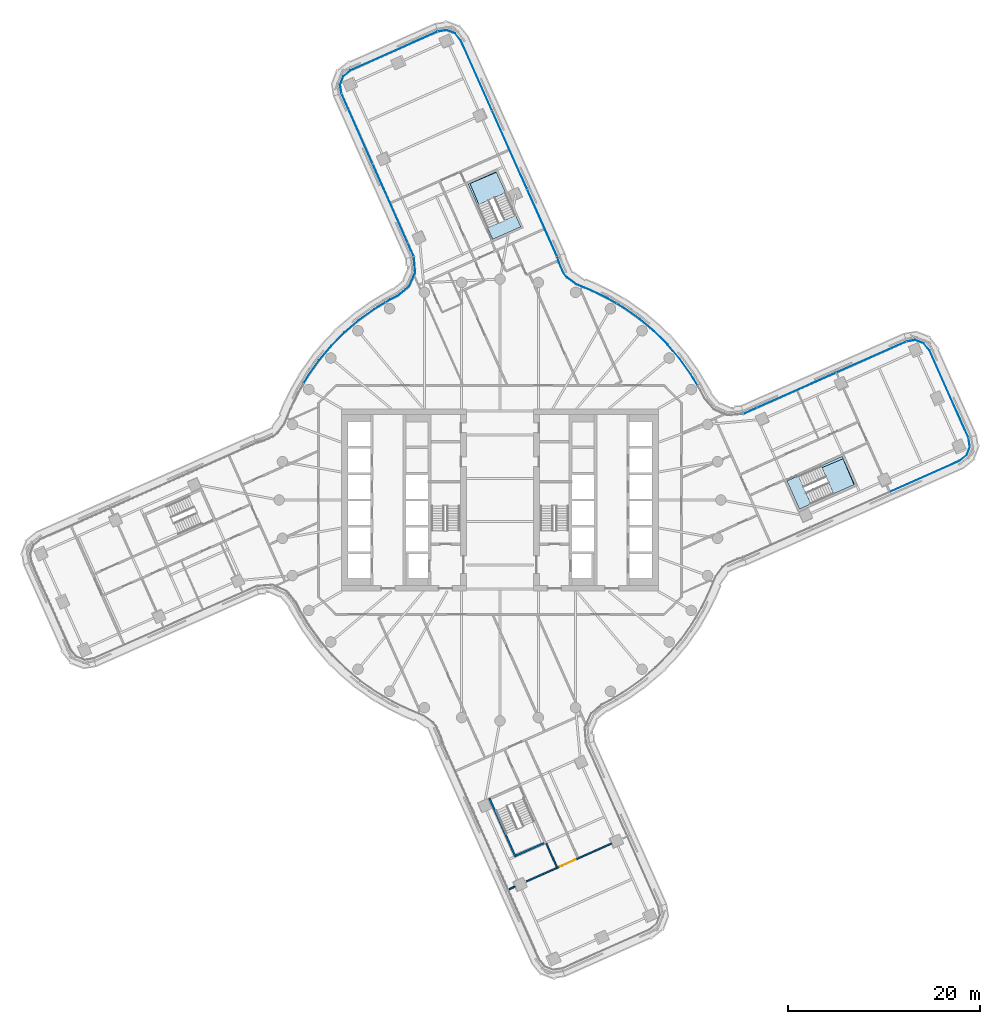
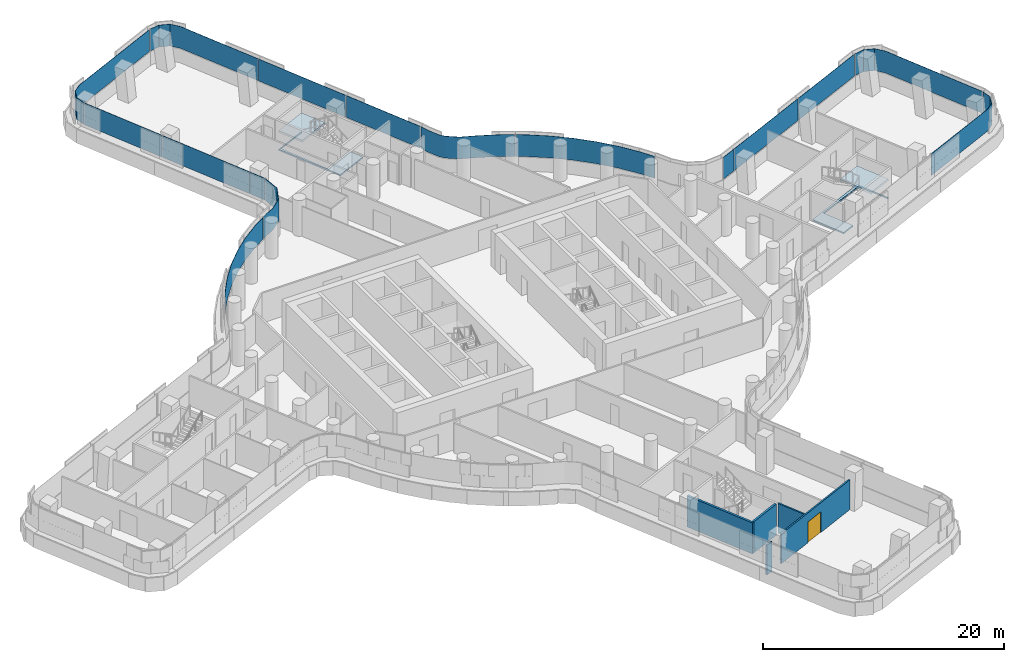
# One storey, part 20 of 35: 16 plates, 5 walls, 4 slabs, 1 door, 1 opening, 10 elements without a shape of their own.
"""IFC4 building model written with IfcOpenShell, lengths in metres."""

from ifc_helpers import new_model, si_unit, direction, frame, frame_2d, origin, place, context, subcontext, project, spatial, polyline, rectangle, outline, extrude, material, layer, layer_set, type_object, element, fill, aggregate, save


model = new_model("IFC4")

# Units and contexts
model_context = context("Model", 3, precision=1e-05, world=origin(), true_north=direction((0.0, 1.0)))
body_context = subcontext(model_context, "Body", "Model", "MODEL_VIEW")
ifc_project = project(units=[si_unit("LENGTHUNIT", "METRE"), si_unit("AREAUNIT", "SQUARE_METRE"), si_unit("VOLUMEUNIT", "CUBIC_METRE"), si_unit("PLANEANGLEUNIT", "RADIAN"), si_unit("MASSUNIT", "GRAM", prefix="KILO")], contexts=[model_context])

# Site, building, storey
site_placement = place(None, origin())
site = spatial("IfcSite", under=ifc_project, at=site_placement, CompositionType="ELEMENT")
building_placement = place(site_placement, origin())
building = spatial("IfcBuilding", under=site, at=building_placement, Name="Tamarind Cross Interchange Tower", CompositionType="ELEMENT")
storey_placement = place(building_placement, frame((0.0, 0.0, 121.0)))
storey = spatial("IfcBuildingStorey", under=building, at=storey_placement, Name="L29", CompositionType="ELEMENT", Elevation=121.0)

# Slabs
ifc_material_1 = material(Name="Concrete C35", Category="concrete")
ifc_layer_1 = layer(ifc_material_1, 0.139892578125)
ifc_layer_set_1 = layer_set([ifc_layer_1], Name="Concrete C35")
slab_type_1 = type_object("IfcSlabType", Name="Composite slab 140 Concrete C35", PredefinedType="FLOOR", material=ifc_layer_set_1)
slab_1_placement = place(storey_placement, frame((0.0, 0.0, -0.139892578125)))
element("IfcSlab", 1, at=slab_1_placement, inside=storey, type_object=slab_type_1, Name="Floor slab L29", PredefinedType="FLOOR", context=body_context, shape_type="SweptSolid", body=[
    extrude(outline(polyline([(-3.123779296875, 32.949462890625), (-0.366943359375, 34.118896484375), (-0.400390625, 34.19384765625), (-3.322998046875, 32.890625), (-0.75732421875, 27.13671875), (2.165283203125, 28.43994140625), (1.630859375, 29.63818359375), (-1.186279296875, 28.382080078125), (-3.123779296875, 32.949462890625)])), origin(), (0.0, 0.0, 1.0), 0.139892578125),
])
slab_2_placement = place(storey_placement, frame((0.0, 0.0, -0.139892578125)))
element("IfcSlab", 2, at=slab_2_placement, inside=storey, type_object=slab_type_1, Name="Floor slab L29", PredefinedType="FLOOR", context=body_context, shape_type="SweptSolid", body=[
    extrude(outline(polyline([(31.179931640625, -0.943603515625), (32.302978515625, -0.44287109375), (32.378173828125, -0.4091796875), (31.144287109375, 2.358154296875), (35.711181640625, 4.29541015625), (36.859375, 1.5888671875), (36.933837890625, 1.621826171875), (35.630615234375, 4.544677734375), (29.876708984375, 1.97900390625), (31.179931640625, -0.943603515625)])), origin(), (0.0, 0.0, 1.0), 0.139892578125),
])

# Stair, slab
ifc_material_2 = material(Name="Exit stair")
stair_type = type_object("IfcStairType", Name="Exit stair", PredefinedType="HALF_TURN_STAIR", material=ifc_material_2)
stair_1_placement = place(storey_placement, origin())
stair_1 = element("IfcStair", 3, at=stair_1_placement, inside=storey, type_object=stair_type, Name="L29 exit stair ST3", PredefinedType="HALF_TURN_STAIR")
ifc_material_3 = material(Name="Concrete C40", Category="concrete")
ifc_layer_2 = layer(ifc_material_3, 0.199951171875)
ifc_layer_set_2 = layer_set([ifc_layer_2], Name="Concrete C40")
slab_type_2 = type_object("IfcSlabType", Name="Stair landing", PredefinedType="LANDING", material=ifc_layer_set_2)
slab_3_placement = place(storey_placement, frame((0.0, 0.0, 1.675048828125)))
slab_3 = element("IfcSlab", 4, at=slab_3_placement, type_object=slab_type_2, Name="ST3 landing 1", PredefinedType="LANDING", context=body_context, shape_type="SweptSolid", body=[
    extrude(outline(polyline([(34.73095703125, 0.6396484375), (36.933837890625, 1.6220703125), (35.630615234375, 4.544677734375), (33.427734375, 3.5625), (34.73095703125, 0.6396484375)])), origin(), (0.0, 0.0, 1.0), 0.199951171875),
])
aggregate(stair_1, [slab_3])

stair_2_placement = place(storey_placement, origin())
stair_2 = element("IfcStair", 5, at=stair_2_placement, inside=storey, type_object=stair_type, Name="L29 exit stair ST4", PredefinedType="HALF_TURN_STAIR")
slab_4_placement = place(storey_placement, frame((0.0, 0.0, 1.675048828125)))
slab_4 = element("IfcSlab", 6, at=slab_4_placement, type_object=slab_type_2, Name="ST4 landing 1", PredefinedType="LANDING", context=body_context, shape_type="SweptSolid", body=[
    extrude(outline(polyline([(0.58203125, 31.990966796875), (-0.400390625, 34.19384765625), (-3.322998046875, 32.890625), (-2.3408203125, 30.687744140625), (0.58203125, 31.990966796875)])), origin(), (0.0, 0.0, 1.0), 0.199951171875),
])
aggregate(stair_2, [slab_4])

# Curtain wall, plate
ifc_material_4 = material(Name="Aluminium 6063-T6", Category="aluminium")
ifc_layer_3 = layer(ifc_material_4, 0.159912109375)
ifc_layer_set_3 = layer_set([ifc_layer_3], Name="Aluminium 6063-T6")
curtain_wall_type = type_object("IfcCurtainWallType", Name="Office curtain wall, 9.0 m bays", PredefinedType="NOTDEFINED", material=ifc_layer_set_3)
curtain_wall_1_placement = place(storey_placement, origin())
curtain_wall_1 = element("IfcCurtainWall", 7, at=curtain_wall_1_placement, inside=storey, type_object=curtain_wall_type, Name="CWS-L29-07", PredefinedType="NOTDEFINED")
ifc_material_5 = material(Name="Laminated low-e glass 8+1.52+8", Category="glass")
ifc_layer_4 = layer(ifc_material_5, 0.028076171875)
ifc_layer_set_4 = layer_set([ifc_layer_4], Name="Laminated low-e glass 8+1.52+8")
plate_type = type_object("IfcPlateType", Name="Vision panel CW1", PredefinedType="CURTAIN_PANEL", material=ifc_layer_set_4)
plate_1_placement = place(storey_placement, frame((0.0, 0.0, 1.39990234375)))
plate_1 = element("IfcPlate", 8, at=plate_1_placement, type_object=plate_type, Name="CWP-L29-07-02", PredefinedType="CURTAIN_PANEL", context=body_context, shape_type="SweptSolid", body=[
    extrude(outline(polyline([(40.57861328125, 0.853515625), (47.837158203125, 4.08984375), (48.574951171875, 4.68798828125), (48.904296875, 5.547607421875), (48.759765625, 6.457763671875), (48.787353515625, 6.462158203125), (48.93310546875, 5.544677734375), (48.598388671875, 4.6708984375), (47.851806640625, 4.06591796875), (40.590087890625, 0.828125), (40.57861328125, 0.853515625)])), origin(), (0.0, 0.0, 1.0), 2.210205078125),
])
aggregate(curtain_wall_1, [plate_1])

curtain_wall_2_placement = place(storey_placement, origin())
curtain_wall_2 = element("IfcCurtainWall", 9, at=curtain_wall_2_placement, inside=storey, type_object=curtain_wall_type, Name="CWS-L29-08", PredefinedType="NOTDEFINED")
plate_2_placement = place(storey_placement, frame((0.0, 0.0, 1.39990234375)))
plate_2 = element("IfcPlate", 10, at=plate_2_placement, type_object=plate_type, Name="CWP-L29-08-00", PredefinedType="CURTAIN_PANEL", context=body_context, shape_type="SweptSolid", body=[
    extrude(outline(polyline([(48.743896484375, 6.51123046875), (44.7060546875, 15.5673828125), (44.10791015625, 16.30517578125), (43.248291015625, 16.634765625), (42.337890625, 16.489990234375), (42.33349609375, 16.517578125), (43.251220703125, 16.66357421875), (44.125, 16.32861328125), (44.730224609375, 15.582275390625), (48.76953125, 6.522705078125), (48.743896484375, 6.51123046875)])), origin(), (0.0, 0.0, 1.0), 2.210205078125),
])
aggregate(curtain_wall_2, [plate_2])

# Curtain wall, plates
curtain_wall_3_placement = place(storey_placement, origin())
curtain_wall_3 = element("IfcCurtainWall", 11, at=curtain_wall_3_placement, inside=storey, type_object=curtain_wall_type, Name="CWS-L29-09", PredefinedType="NOTDEFINED")
plate_3_placement = place(storey_placement, frame((0.0, 0.0, 1.39990234375)))
plate_3 = element("IfcPlate", 12, at=plate_3_placement, type_object=plate_type, Name="CWP-L29-09-00", PredefinedType="CURTAIN_PANEL", context=body_context, shape_type="SweptSolid", body=[
    extrude(outline(polyline([(42.284423828125, 16.47412109375), (35.03173828125, 13.255615234375), (35.0205078125, 13.28125), (42.27294921875, 16.499755859375), (42.284423828125, 16.47412109375)])), origin(), (0.0, 0.0, 1.0), 2.210205078125),
])
plate_4_placement = place(storey_placement, frame((0.0, 0.0, 1.39990234375)))
plate_4 = element("IfcPlate", 13, at=plate_4_placement, type_object=plate_type, Name="CWP-L29-09-01", PredefinedType="CURTAIN_PANEL", context=body_context, shape_type="SweptSolid", body=[
    extrude(outline(polyline([(34.97705078125, 13.2314453125), (26.80224609375, 9.603515625), (26.790771484375, 9.629150390625), (34.965576171875, 13.2568359375), (34.97705078125, 13.2314453125)])), origin(), (0.0, 0.0, 1.0), 2.210205078125),
])
plate_5_placement = place(storey_placement, frame((0.0, 0.0, 1.39990234375)))
plate_5 = element("IfcPlate", 14, at=plate_5_placement, type_object=plate_type, Name="CWP-L29-09-02", PredefinedType="CURTAIN_PANEL", context=body_context, shape_type="SweptSolid", body=[
    extrude(outline(polyline([(26.747314453125, 9.579345703125), (25.3779296875, 8.971435546875), (25.366455078125, 8.9970703125), (26.736083984375, 9.60498046875), (26.747314453125, 9.579345703125)])), origin(), (0.0, 0.0, 1.0), 2.210205078125),
])
aggregate(curtain_wall_3, [plate_3, plate_4, plate_5])

curtain_wall_4_placement = place(storey_placement, origin())
curtain_wall_4 = element("IfcCurtainWall", 15, at=curtain_wall_4_placement, inside=storey, type_object=curtain_wall_type, Name="CWS-L29-10", PredefinedType="NOTDEFINED")
plate_6_placement = place(storey_placement, frame((0.0, 0.0, 1.39990234375)))
plate_6 = element("IfcPlate", 16, at=plate_6_placement, type_object=plate_type, Name="CWP-L29-10-01", PredefinedType="CURTAIN_PANEL", context=body_context, shape_type="SweptSolid", body=[
    extrude(outline(polyline([(20.54345703125, 11.94580078125), (19.85302734375, 13.093017578125), (18.7041015625, 14.687744140625), (17.42724609375, 16.18212890625), (16.031494140625, 17.56591796875), (14.526123046875, 18.829833984375), (12.921630859375, 19.965087890625), (12.135498046875, 20.428955078125), (12.14990234375, 20.453125), (12.936767578125, 19.988525390625), (14.543212890625, 18.85205078125), (16.05029296875, 17.586669921875), (17.44775390625, 16.201171875), (18.72607421875, 14.705078125), (19.87646484375, 13.1083984375), (20.5673828125, 11.960205078125), (20.54345703125, 11.94580078125)])), origin(), (0.0, 0.0, 1.0), 2.210205078125),
])
plate_7_placement = place(storey_placement, frame((0.0, 0.0, 1.39990234375)))
plate_7 = element("IfcPlate", 17, at=plate_7_placement, type_object=plate_type, Name="CWP-L29-10-02", PredefinedType="CURTAIN_PANEL", context=body_context, shape_type="SweptSolid", body=[
    extrude(outline(polyline([(12.083984375, 20.45947265625), (11.228759765625, 20.9638671875), (9.456787109375, 21.82080078125), (7.9462890625, 22.446533203125), (6.9736328125, 23.1591796875), (6.62109375, 23.596923828125), (6.136962890625, 24.68701171875), (5.93310546875, 25.3486328125), (5.9599609375, 25.356689453125), (6.163330078125, 24.69677734375), (6.645263671875, 23.611572265625), (6.9931640625, 23.1796875), (7.960205078125, 22.47119140625), (9.46826171875, 21.846435546875), (11.241943359375, 20.98876953125), (12.09814453125, 20.4833984375), (12.083984375, 20.45947265625)])), origin(), (0.0, 0.0, 1.0), 2.210205078125),
])
aggregate(curtain_wall_4, [plate_6, plate_7])

curtain_wall_5_placement = place(storey_placement, origin())
curtain_wall_5 = element("IfcCurtainWall", 18, at=curtain_wall_5_placement, inside=storey, type_object=curtain_wall_type, Name="CWS-L29-11", PredefinedType="NOTDEFINED")
plate_8_placement = place(storey_placement, frame((0.0, 0.0, 1.39990234375)))
plate_8 = element("IfcPlate", 19, at=plate_8_placement, type_object=plate_type, Name="CWP-L29-11-00", PredefinedType="CURTAIN_PANEL", context=body_context, shape_type="SweptSolid", body=[
    extrude(outline(polyline([(5.91259765625, 25.403076171875), (2.830078125, 32.316650390625), (2.855712890625, 32.328125), (5.938232421875, 25.414306640625), (5.91259765625, 25.403076171875)])), origin(), (0.0, 0.0, 1.0), 2.210205078125),
])
plate_9_placement = place(storey_placement, frame((0.0, 0.0, 1.39990234375)))
plate_9 = element("IfcPlate", 20, at=plate_9_placement, type_object=plate_type, Name="CWP-L29-11-01", PredefinedType="CURTAIN_PANEL", context=body_context, shape_type="SweptSolid", body=[
    extrude(outline(polyline([(2.8056640625, 32.37158203125), (-0.8291015625, 40.52392578125), (-0.8037109375, 40.535400390625), (2.831298828125, 32.383056640625), (2.8056640625, 32.37158203125)])), origin(), (0.0, 0.0, 1.0), 2.210205078125),
])
plate_10_placement = place(storey_placement, frame((0.0, 0.0, 1.39990234375)))
plate_10 = element("IfcPlate", 21, at=plate_10_placement, type_object=plate_type, Name="CWP-L29-11-02", PredefinedType="CURTAIN_PANEL", context=body_context, shape_type="SweptSolid", body=[
    extrude(outline(polyline([(-0.853515625, 40.57861328125), (-4.08984375, 47.837158203125), (-4.68798828125, 48.574951171875), (-5.547607421875, 48.904296875), (-6.457763671875, 48.759765625), (-6.462158203125, 48.787353515625), (-5.544677734375, 48.93310546875), (-4.6708984375, 48.598388671875), (-4.06591796875, 47.851806640625), (-0.828125, 40.590087890625), (-0.853515625, 40.57861328125)])), origin(), (0.0, 0.0, 1.0), 2.210205078125),
])
aggregate(curtain_wall_5, [plate_8, plate_9, plate_10])

# Curtain wall, plate
curtain_wall_6_placement = place(storey_placement, origin())
curtain_wall_6 = element("IfcCurtainWall", 22, at=curtain_wall_6_placement, inside=storey, type_object=curtain_wall_type, Name="CWS-L29-12", PredefinedType="NOTDEFINED")
plate_11_placement = place(storey_placement, frame((0.0, 0.0, 1.39990234375)))
plate_11 = element("IfcPlate", 23, at=plate_11_placement, type_object=plate_type, Name="CWP-L29-12-00", PredefinedType="CURTAIN_PANEL", context=body_context, shape_type="SweptSolid", body=[
    extrude(outline(polyline([(-6.51123046875, 48.743896484375), (-15.5673828125, 44.7060546875), (-16.30517578125, 44.10791015625), (-16.634765625, 43.248291015625), (-16.489990234375, 42.337890625), (-16.517578125, 42.33349609375), (-16.66357421875, 43.251220703125), (-16.32861328125, 44.125), (-15.582275390625, 44.730224609375), (-6.522705078125, 48.76953125), (-6.51123046875, 48.743896484375)])), origin(), (0.0, 0.0, 1.0), 2.210205078125),
])
aggregate(curtain_wall_6, [plate_11])

# Curtain wall, plates
curtain_wall_7_placement = place(storey_placement, origin())
curtain_wall_7 = element("IfcCurtainWall", 24, at=curtain_wall_7_placement, inside=storey, type_object=curtain_wall_type, Name="CWS-L29-13", PredefinedType="NOTDEFINED")
plate_12_placement = place(storey_placement, frame((0.0, 0.0, 1.39990234375)))
plate_12 = element("IfcPlate", 25, at=plate_12_placement, type_object=plate_type, Name="CWP-L29-13-00", PredefinedType="CURTAIN_PANEL", context=body_context, shape_type="SweptSolid", body=[
    extrude(outline(polyline([(-16.47412109375, 42.284423828125), (-13.255615234375, 35.03173828125), (-13.28125, 35.0205078125), (-16.499755859375, 42.27294921875), (-16.47412109375, 42.284423828125)])), origin(), (0.0, 0.0, 1.0), 2.210205078125),
])
plate_13_placement = place(storey_placement, frame((0.0, 0.0, 1.39990234375)))
plate_13 = element("IfcPlate", 26, at=plate_13_placement, type_object=plate_type, Name="CWP-L29-13-01", PredefinedType="CURTAIN_PANEL", context=body_context, shape_type="SweptSolid", body=[
    extrude(outline(polyline([(-13.2314453125, 34.97705078125), (-9.603515625, 26.80224609375), (-9.629150390625, 26.790771484375), (-13.2568359375, 34.965576171875), (-13.2314453125, 34.97705078125)])), origin(), (0.0, 0.0, 1.0), 2.210205078125),
])
plate_14_placement = place(storey_placement, frame((0.0, 0.0, 1.39990234375)))
plate_14 = element("IfcPlate", 27, at=plate_14_placement, type_object=plate_type, Name="CWP-L29-13-02", PredefinedType="CURTAIN_PANEL", context=body_context, shape_type="SweptSolid", body=[
    extrude(outline(polyline([(-9.579345703125, 26.747314453125), (-8.971435546875, 25.3779296875), (-8.9970703125, 25.366455078125), (-9.60498046875, 26.736083984375), (-9.579345703125, 26.747314453125)])), origin(), (0.0, 0.0, 1.0), 2.210205078125),
])
aggregate(curtain_wall_7, [plate_12, plate_13, plate_14])

curtain_wall_8_placement = place(storey_placement, origin())
curtain_wall_8 = element("IfcCurtainWall", 28, at=curtain_wall_8_placement, inside=storey, type_object=curtain_wall_type, Name="CWS-L29-14", PredefinedType="NOTDEFINED")
plate_15_placement = place(storey_placement, frame((0.0, 0.0, 1.39990234375)))
plate_15 = element("IfcPlate", 29, at=plate_15_placement, type_object=plate_type, Name="CWP-L29-14-00", PredefinedType="CURTAIN_PANEL", context=body_context, shape_type="SweptSolid", body=[
    extrude(outline(polyline([(-8.95556640625, 25.31591796875), (-8.81201171875, 23.64208984375), (-9.48193359375, 22.1923828125), (-10.609619140625, 21.266845703125), (-11.408203125, 20.866943359375), (-11.894287109375, 20.574462890625), (-11.90869140625, 20.598388671875), (-11.421875, 20.891357421875), (-10.625, 21.29052734375), (-9.504638671875, 22.2099609375), (-8.840576171875, 23.64697265625), (-8.983642578125, 25.313720703125), (-8.95556640625, 25.31591796875)])), origin(), (0.0, 0.0, 1.0), 2.210205078125),
])
plate_16_placement = place(storey_placement, frame((0.0, 0.0, 1.39990234375)))
plate_16 = element("IfcPlate", 30, at=plate_16_placement, type_object=plate_type, Name="CWP-L29-14-01", PredefinedType="CURTAIN_PANEL", context=body_context, shape_type="SweptSolid", body=[
    extrude(outline(polyline([(-11.94580078125, 20.54345703125), (-13.093017578125, 19.85302734375), (-14.687744140625, 18.7041015625), (-16.18212890625, 17.42724609375), (-17.56591796875, 16.031494140625), (-18.829833984375, 14.526123046875), (-19.965087890625, 12.921630859375), (-20.428955078125, 12.135498046875), (-20.453125, 12.14990234375), (-19.988525390625, 12.936767578125), (-18.85205078125, 14.543212890625), (-17.586669921875, 16.05029296875), (-16.201171875, 17.44775390625), (-14.705078125, 18.72607421875), (-13.1083984375, 19.87646484375), (-11.960205078125, 20.5673828125), (-11.94580078125, 20.54345703125)])), origin(), (0.0, 0.0, 1.0), 2.210205078125),
])
aggregate(curtain_wall_8, [plate_15, plate_16])

# Walls
ifc_material_6 = material(Name="Gypsum board partition on steel studs", Category="steel")
ifc_layer_5 = layer(ifc_material_6, 0.14990234375)
ifc_layer_set_5 = layer_set([ifc_layer_5], Name="Gypsum board partition on steel studs")
wall_type_1 = type_object("IfcWallType", Name="Partition 150 mm EI 120", PredefinedType="PARTITIONING", material=ifc_layer_set_5)
wall_1_placement = place(storey_placement, frame((4.826171875, -35.76806640625, 0.0), z_axis=(0.0, 0.0, 1.0), x_axis=(0.407386796395, -0.913255713436, 0.0)))
element("IfcWall", 31, at=wall_1_placement, inside=storey, type_object=wall_type_1, Name="Partition L29-025", PredefinedType="PARTITIONING", context=body_context, shape_type="SweptSolid", body=[
    extrude(rectangle(XDim=2.684814453125, YDim=0.14990234375, at=frame_2d((1.34228515625, 0.0))), origin(), (0.0, 0.0, 1.0), 3.010009765625),
])
wall_2_placement = place(storey_placement, frame((0.926513671875, -40.52880859375, 0.0), z_axis=(0.0, 0.0, 1.0), x_axis=(0.913300156936, 0.407287150965, 0.0)))
element("IfcWall", 32, at=wall_2_placement, inside=storey, type_object=wall_type_1, Name="Partition L29-062", PredefinedType="PARTITIONING", context=body_context, shape_type="SweptSolid", body=[
    extrude(rectangle(XDim=0.709716796875, YDim=0.14990234375, at=frame_2d((0.35498046875, 0.0))), origin(), (0.0, 0.0, 1.0), 3.010009765625),
])

# Wall, opening, door
wall_3_placement = place(storey_placement, frame((2.771728515625, -39.7060546875, 0.0), z_axis=(0.0, 0.0, 1.0), x_axis=(0.913335251505, 0.407208445835, 0.0)))
wall_3 = element("IfcWall", 33, at=wall_3_placement, inside=storey, type_object=wall_type_1, Name="Partition L29-063", PredefinedType="PARTITIONING", context=body_context, shape_type="SweptSolid", body=[
    extrude(rectangle(XDim=9.672607421875, YDim=0.14990234375, at=frame_2d((4.83642578125, 0.0))), origin(), (0.0, 0.0, 1.0), 3.010009765625),
])
opening_placement = place(wall_3_placement, frame((3.779052734375, 0.0, 0.0)))
opening = element("IfcOpeningElement", 34, at=opening_placement, cuts=wall_3, Name="Opening D33", PredefinedType="OPENING", context=body_context, shape_type="SweptSolid", body=[
    extrude(rectangle(XDim=1.800048828125, YDim=2.10009765625, at=frame_2d((0.89990234375, 1.050048828125))), frame((0.0, 0.0849609375, 0.0), z_axis=(0.0, -1.0, 0.0), x_axis=(1.0, 0.0, 0.0)), (0.0, 0.0, 1.0), 0.169921875),
])
ifc_material_7 = material(Name="Fire-resisting door set")
door_type = type_object("IfcDoorType", Name="Interior door 1800 x 2100 FD60S", OperationType="DOUBLE_DOOR_SINGLE_SWING", PredefinedType="DOOR", material=ifc_material_7)
door_placement = place(opening_placement, origin())
door = element("IfcDoor", 35, at=door_placement, inside=storey, type_object=door_type, Name="Door D33", OperationType="DOUBLE_DOOR_SINGLE_SWING", OverallHeight=2.10009765625, OverallWidth=1.800048828125, PredefinedType="DOOR", context=body_context, shape_type="SweptSolid", body=[
    extrude(rectangle(XDim=1.800048828125, YDim=2.10009765625, at=frame_2d((0.89990234375, 1.050048828125))), frame((0.0, 0.02490234375, 0.0), z_axis=(0.0, -1.0, 0.0), x_axis=(1.0, 0.0, 0.0)), (0.0, 0.0, 1.0), 0.050048828125),
])
fill(opening, door)

# Walls
ifc_layer_6 = layer(ifc_material_3, 0.199951171875)
ifc_layer_set_6 = layer_set([ifc_layer_6], Name="Concrete C40")
wall_type_2 = type_object("IfcWallType", Name="Stair shaft wall 200 mm Concrete C40", PredefinedType="SHEAR", material=ifc_layer_set_6)
wall_4_placement = place(storey_placement, frame((-1.1162109375, -31.037841796875, -0.139892578125), z_axis=(0.0, 0.0, 1.0), x_axis=(0.407203178831, -0.913337599768, 0.0)))
element("IfcWall", 36, at=wall_4_placement, inside=storey, type_object=wall_type_2, Name="Core wall CWL-L29-ST6-C", PredefinedType="SHEAR", context=body_context, shape_type="SweptSolid", body=[
    extrude(rectangle(XDim=6.699951171875, YDim=0.199951171875, at=frame_2d((3.35009765625, 0.0))), origin(), (0.0, 0.0, 1.0), 3.14990234375),
])
wall_5_placement = place(storey_placement, frame((0.0, 0.0, -0.139892578125)))
element("IfcWall", 37, at=wall_5_placement, inside=storey, type_object=wall_type_2, Name="Core wall CWL-L29-ST6-CF", PredefinedType="SHEAR", context=body_context, shape_type="SweptSolid", body=[
    extrude(outline(polyline([(1.621826171875, -36.933837890625), (1.703369140625, -37.116455078125), (4.6259765625, -35.8134765625), (4.544677734375, -35.630615234375), (1.621826171875, -36.933837890625)])), origin(), (0.0, 0.0, 1.0), 3.14990234375),
])

save(model, "model.ifc")
